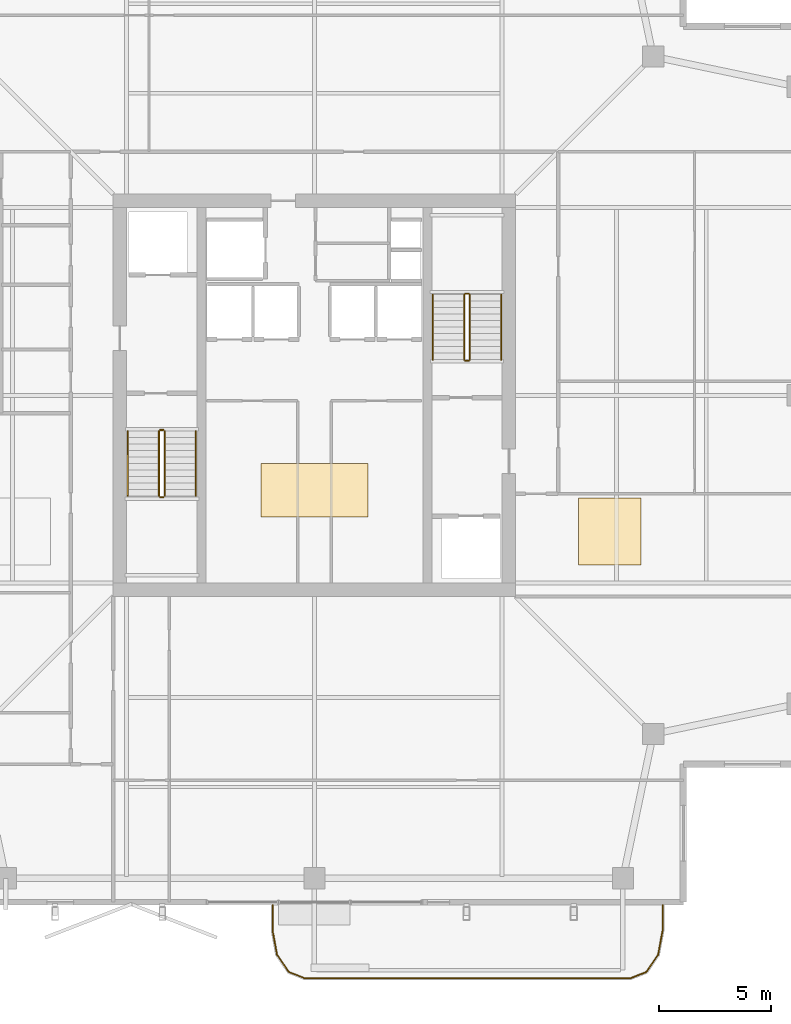
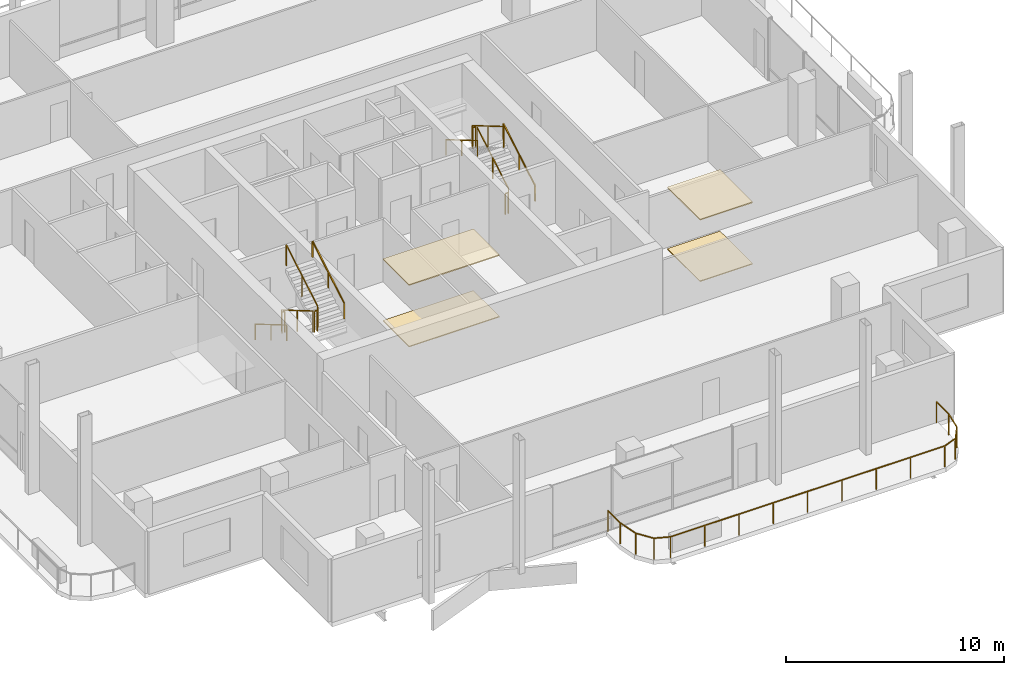
# One storey, part 19 of 20: 13 railings, 4 coverings.
"""IFC4 building model written with IfcOpenShell, lengths in metres."""

from ifc_helpers import new_model, si_unit, direction, frame, origin, origin_2d, place, context, subcontext, project, spatial, polyline, rectangle, outline, extrude, material, layer, layer_set, type_object, element, save


model = new_model("IFC4")

# Units and contexts
model_context = context("Model", 3, precision=1e-05, world=origin(), true_north=direction((0.0, 1.0)))
body_context = subcontext(model_context, "Body", "Model", "MODEL_VIEW")
ifc_project = project(units=[si_unit("LENGTHUNIT", "METRE"), si_unit("AREAUNIT", "SQUARE_METRE"), si_unit("VOLUMEUNIT", "CUBIC_METRE"), si_unit("PLANEANGLEUNIT", "RADIAN"), si_unit("MASSUNIT", "GRAM", prefix="KILO")], contexts=[model_context])

# Site, building, storey
site_placement = place(None, origin())
site = spatial("IfcSite", under=ifc_project, at=site_placement, CompositionType="ELEMENT")
building_placement = place(site_placement, origin())
building = spatial("IfcBuilding", under=site, at=building_placement, Name="Belovzor Exchange Tower", CompositionType="ELEMENT")
storey_placement = place(building_placement, frame((0.0, 0.0, 306.75)))
storey = spatial("IfcBuildingStorey", under=building, at=storey_placement, Name="L76", CompositionType="ELEMENT", Elevation=306.75)

# Railings
ifc_material_1 = material(Name="Stainless Steel Grade 304", Category="steel")
railing_type_1 = type_object("IfcRailingType", Name="Brushed Stainless Steel Stair Handrail 900", PredefinedType="HANDRAIL", material=ifc_material_1)
railing_1_placement = place(storey_placement, frame((20.449951171875, 27.199951171875, 0.17041015625)))
element("IfcRailing", 1, at=railing_1_placement, inside=storey, type_object=railing_type_1, Name="L76 ST-1 stair handrail 1", PredefinedType="HANDRAIL", context=body_context, shape_type="SweptSolid", body=[
    extrude(rectangle(XDim=0.048095703125, YDim=0.048095703125, at=origin_2d()), frame((0.0, 0.0, 0.8759765625), z_axis=(0.0, -0.86209462966, 0.506747323142), x_axis=(1.0, 0.0, 0.0)), (0.0, 0.0, 1.0), 3.36376953125),
    extrude(rectangle(XDim=0.0419921875, YDim=0.0419921875, at=origin_2d()), origin(), (0.0, 0.0, 1.0), 0.851806640625),
    extrude(rectangle(XDim=0.0419921875, YDim=0.0419921875, at=origin_2d()), frame((0.0, -1.449951171875, 0.852294921875)), (0.0, 0.0, 1.0), 0.851806640625),
    extrude(rectangle(XDim=0.0419921875, YDim=0.0419921875, at=origin_2d()), frame((0.0, -2.89990234375, 1.70458984375)), (0.0, 0.0, 1.0), 0.851806640625),
])
railing_2_placement = place(storey_placement, frame((23.5, 24.300048828125, 2.04541015625)))
element("IfcRailing", 2, at=railing_2_placement, inside=storey, type_object=railing_type_1, Name="L76 ST-1 stair handrail 2", PredefinedType="HANDRAIL", context=body_context, shape_type="SweptSolid", body=[
    extrude(rectangle(XDim=0.048095703125, YDim=0.048095703125, at=origin_2d()), frame((0.0, 0.0, 0.8759765625), z_axis=(0.0, 0.86209462966, 0.506747323142), x_axis=(-1.0, 0.0, 0.0)), (0.0, 0.0, 1.0), 3.36376953125),
    extrude(rectangle(XDim=0.0419921875, YDim=0.0419921875, at=origin_2d()), origin(), (0.0, 0.0, 1.0), 0.851806640625),
    extrude(rectangle(XDim=0.0419921875, YDim=0.0419921875, at=origin_2d()), frame((0.0, 1.449951171875, 0.852294921875)), (0.0, 0.0, 1.0), 0.851806640625),
    extrude(rectangle(XDim=0.0419921875, YDim=0.0419921875, at=origin_2d()), frame((0.0, 2.89990234375, 1.70458984375)), (0.0, 0.0, 1.0), 0.851806640625),
])
railing_3_placement = place(storey_placement, frame((37.14990234375, 30.39990234375, 0.17041015625)))
element("IfcRailing", 3, at=railing_3_placement, inside=storey, type_object=railing_type_1, Name="L76 ST-2 stair handrail 1", PredefinedType="HANDRAIL", context=body_context, shape_type="SweptSolid", body=[
    extrude(rectangle(XDim=0.048095703125, YDim=0.048095703125, at=origin_2d()), frame((0.0, 0.0, 0.8759765625), z_axis=(0.0, 0.862113265706, 0.506715617574), x_axis=(-1.0, 0.0, 0.0)), (0.0, 0.0, 1.0), 3.364013671875),
    extrude(rectangle(XDim=0.0419921875, YDim=0.0419921875, at=origin_2d()), origin(), (0.0, 0.0, 1.0), 0.851806640625),
    extrude(rectangle(XDim=0.0419921875, YDim=0.0419921875, at=origin_2d()), frame((0.0, 1.4501953125, 0.852294921875)), (0.0, 0.0, 1.0), 0.851806640625),
    extrude(rectangle(XDim=0.0419921875, YDim=0.0419921875, at=origin_2d()), frame((0.0, 2.900146484375, 1.70458984375)), (0.0, 0.0, 1.0), 0.851806640625),
])
railing_4_placement = place(storey_placement, frame((34.10009765625, 33.300048828125, 2.04541015625)))
element("IfcRailing", 4, at=railing_4_placement, inside=storey, type_object=railing_type_1, Name="L76 ST-2 stair handrail 2", PredefinedType="HANDRAIL", context=body_context, shape_type="SweptSolid", body=[
    extrude(rectangle(XDim=0.048095703125, YDim=0.048095703125, at=origin_2d()), frame((0.0, 0.0, 0.8759765625), z_axis=(0.0, -0.862113265706, 0.506715617574), x_axis=(1.0, 0.0, 0.0)), (0.0, 0.0, 1.0), 3.364013671875),
    extrude(rectangle(XDim=0.0419921875, YDim=0.0419921875, at=origin_2d()), origin(), (0.0, 0.0, 1.0), 0.851806640625),
    extrude(rectangle(XDim=0.0419921875, YDim=0.0419921875, at=origin_2d()), frame((0.0, -1.4501953125, 0.852294921875)), (0.0, 0.0, 1.0), 0.851806640625),
    extrude(rectangle(XDim=0.0419921875, YDim=0.0419921875, at=origin_2d()), frame((0.0, -2.900146484375, 1.70458984375)), (0.0, 0.0, 1.0), 0.851806640625),
])
ifc_material_2 = material(Name="Stainless Steel and Laminated Safety Glass", Category="steel")
railing_type_2 = type_object("IfcRailingType", Name="Laminated Glass & Stainless Steel Balcony Balustrade 1200", PredefinedType="BALUSTRADE", material=ifc_material_2)
railing_5_placement = place(storey_placement, frame((26.929931640625, 5.989990234375, 0.0)))
element("IfcRailing", 5, at=railing_5_placement, inside=storey, type_object=railing_type_2, Name="GR-1 Balcony Balustrade L76 South", PredefinedType="BALUSTRADE", context=body_context, shape_type="SweptSolid", body=[
    extrude(rectangle(XDim=0.048095703125, YDim=0.048095703125, at=origin_2d()), frame((0.0, 0.0, 1.17578125), z_axis=(0.0, -1.0, 0.0), x_axis=(1.0, 0.0, 0.0)), (0.0, 0.0, 1.0), 1.133056640625),
    extrude(rectangle(XDim=0.048095703125, YDim=0.048095703125, at=origin_2d()), frame((0.0, -1.133056640625, 1.17578125), z_axis=(0.180122719713, -0.983644145941, 0.0), x_axis=(0.983644145941, 0.180122719713, 0.0)), (0.0, 0.0, 1.0), 1.09375),
    extrude(rectangle(XDim=0.048095703125, YDim=0.048095703125, at=origin_2d()), frame((0.197021484375, -2.208984375, 1.17578125), z_axis=(0.56294695933, -0.826493025367, 0.0), x_axis=(0.826493025367, 0.56294695933, 0.0)), (0.0, 0.0, 1.0), 0.932861328125),
    extrude(rectangle(XDim=0.048095703125, YDim=0.048095703125, at=origin_2d()), frame((0.72216796875, -2.97998046875, 1.17578125), z_axis=(0.930766990125, -0.365612923861, 0.0), x_axis=(0.365612923861, 0.930766990125, 0.0)), (0.0, 0.0, 1.0), 0.765869140625),
    extrude(rectangle(XDim=0.048095703125, YDim=0.048095703125, at=origin_2d()), frame((1.43505859375, -3.260009765625, 1.17578125), z_axis=(1.0, 0.0, 0.0), x_axis=(0.0, 1.0, 0.0)), (0.0, 0.0, 1.0), 14.570068359375),
    extrude(rectangle(XDim=0.048095703125, YDim=0.048095703125, at=origin_2d()), frame((16.005126953125, -3.260009765625, 1.17578125), z_axis=(0.930766990125, 0.365612923861, 0.0), x_axis=(-0.365612923861, 0.930766990125, 0.0)), (0.0, 0.0, 1.0), 0.765869140625),
    extrude(rectangle(XDim=0.048095703125, YDim=0.048095703125, at=origin_2d()), frame((16.718017578125, -2.97998046875, 1.17578125), z_axis=(0.56294695933, 0.826493025367, 0.0), x_axis=(-0.826493025367, 0.56294695933, 0.0)), (0.0, 0.0, 1.0), 0.932861328125),
    extrude(rectangle(XDim=0.048095703125, YDim=0.048095703125, at=origin_2d()), frame((17.2431640625, -2.208984375, 1.17578125), z_axis=(0.180122719713, 0.983644145941, 0.0), x_axis=(-0.983644145941, 0.180122719713, 0.0)), (0.0, 0.0, 1.0), 1.09375),
    extrude(rectangle(XDim=0.048095703125, YDim=0.048095703125, at=origin_2d()), frame((17.440185546875, -1.133056640625, 1.17578125), z_axis=(0.0, 1.0, 0.0), x_axis=(-1.0, 0.0, 0.0)), (0.0, 0.0, 1.0), 1.133056640625),
    extrude(rectangle(XDim=0.0419921875, YDim=0.0419921875, at=origin_2d()), origin(), (0.0, 0.0, 1.0), 1.15185546875),
    extrude(rectangle(XDim=0.0419921875, YDim=0.0419921875, at=origin_2d()), frame((0.0, -1.133056640625, 0.0)), (0.0, 0.0, 1.0), 1.15185546875),
    extrude(rectangle(XDim=0.0419921875, YDim=0.0419921875, at=origin_2d()), frame((0.197021484375, -2.208984375, 0.0)), (0.0, 0.0, 1.0), 1.15185546875),
    extrude(rectangle(XDim=0.0419921875, YDim=0.0419921875, at=origin_2d()), frame((0.72216796875, -2.97998046875, 0.0)), (0.0, 0.0, 1.0), 1.15185546875),
    extrude(rectangle(XDim=0.0419921875, YDim=0.0419921875, at=origin_2d()), frame((1.43505859375, -3.260009765625, 0.0)), (0.0, 0.0, 1.0), 1.15185546875),
    extrude(rectangle(XDim=0.0419921875, YDim=0.0419921875, at=origin_2d()), frame((3.25634765625, -3.260009765625, 0.0)), (0.0, 0.0, 1.0), 1.15185546875),
    extrude(rectangle(XDim=0.0419921875, YDim=0.0419921875, at=origin_2d()), frame((5.07763671875, -3.260009765625, 0.0)), (0.0, 0.0, 1.0), 1.15185546875),
    extrude(rectangle(XDim=0.0419921875, YDim=0.0419921875, at=origin_2d()), frame((6.89892578125, -3.260009765625, 0.0)), (0.0, 0.0, 1.0), 1.15185546875),
    extrude(rectangle(XDim=0.0419921875, YDim=0.0419921875, at=origin_2d()), frame((8.72021484375, -3.260009765625, 0.0)), (0.0, 0.0, 1.0), 1.15185546875),
    extrude(rectangle(XDim=0.0419921875, YDim=0.0419921875, at=origin_2d()), frame((10.541259765625, -3.260009765625, 0.0)), (0.0, 0.0, 1.0), 1.15185546875),
    extrude(rectangle(XDim=0.0419921875, YDim=0.0419921875, at=origin_2d()), frame((12.362548828125, -3.260009765625, 0.0)), (0.0, 0.0, 1.0), 1.15185546875),
    extrude(rectangle(XDim=0.0419921875, YDim=0.0419921875, at=origin_2d()), frame((14.183837890625, -3.260009765625, 0.0)), (0.0, 0.0, 1.0), 1.15185546875),
    extrude(rectangle(XDim=0.0419921875, YDim=0.0419921875, at=origin_2d()), frame((16.005126953125, -3.260009765625, 0.0)), (0.0, 0.0, 1.0), 1.15185546875),
    extrude(rectangle(XDim=0.0419921875, YDim=0.0419921875, at=origin_2d()), frame((16.718017578125, -2.97998046875, 0.0)), (0.0, 0.0, 1.0), 1.15185546875),
    extrude(rectangle(XDim=0.0419921875, YDim=0.0419921875, at=origin_2d()), frame((17.2431640625, -2.208984375, 0.0)), (0.0, 0.0, 1.0), 1.15185546875),
    extrude(rectangle(XDim=0.0419921875, YDim=0.0419921875, at=origin_2d()), frame((17.440185546875, -1.133056640625, 0.0)), (0.0, 0.0, 1.0), 1.15185546875),
    extrude(rectangle(XDim=0.0419921875, YDim=0.0419921875, at=origin_2d()), frame((17.440185546875, 0.0, 0.0)), (0.0, 0.0, 1.0), 1.15185546875),
])
ifc_material_3 = material(Name="Steel S355", Category="steel")
railing_type_3 = type_object("IfcRailingType", Name="Painted Steel Stairwell Guardrail 1200", PredefinedType="GUARDRAIL", material=ifc_material_3)
railing_6_placement = place(storey_placement, frame((21.85009765625, 27.199951171875, 0.17041015625)))
element("IfcRailing", 6, at=railing_6_placement, inside=storey, type_object=railing_type_3, Name="L76 ST-1 stair guard 1", PredefinedType="GUARDRAIL", context=body_context, shape_type="SweptSolid", body=[
    extrude(rectangle(XDim=0.048095703125, YDim=0.048095703125, at=origin_2d()), frame((0.0, 0.0, 1.17578125), z_axis=(0.0, -0.86209462966, 0.506747323142), x_axis=(1.0, 0.0, 0.0)), (0.0, 0.0, 1.0), 3.36376953125),
    extrude(rectangle(XDim=0.0419921875, YDim=0.0419921875, at=origin_2d()), origin(), (0.0, 0.0, 1.0), 1.15185546875),
    extrude(rectangle(XDim=0.0419921875, YDim=0.0419921875, at=origin_2d()), frame((0.0, -1.449951171875, 0.852294921875)), (0.0, 0.0, 1.0), 1.15185546875),
    extrude(rectangle(XDim=0.0419921875, YDim=0.0419921875, at=origin_2d()), frame((0.0, -2.89990234375, 1.70458984375)), (0.0, 0.0, 1.0), 1.15185546875),
])
railing_7_placement = place(storey_placement, frame((21.89990234375, 24.25, 1.875)))
element("IfcRailing", 7, at=railing_7_placement, inside=storey, type_object=railing_type_3, Name="L76 ST-1 stair guard 2", PredefinedType="GUARDRAIL", context=body_context, shape_type="SweptSolid", body=[
    extrude(rectangle(XDim=0.048095703125, YDim=0.048095703125, at=origin_2d()), frame((0.0, 0.0, 1.17578125), z_axis=(1.0, 0.0, 0.0), x_axis=(0.0, 1.0, 0.0)), (0.0, 0.0, 1.0), 0.150146484375),
    extrude(rectangle(XDim=0.0419921875, YDim=0.0419921875, at=origin_2d()), origin(), (0.0, 0.0, 1.0), 1.15185546875),
    extrude(rectangle(XDim=0.0419921875, YDim=0.0419921875, at=origin_2d()), frame((0.150146484375, 0.0, 0.0)), (0.0, 0.0, 1.0), 1.15185546875),
])
railing_8_placement = place(storey_placement, frame((22.10009765625, 24.300048828125, 2.04541015625)))
element("IfcRailing", 8, at=railing_8_placement, inside=storey, type_object=railing_type_3, Name="L76 ST-1 stair guard 3", PredefinedType="GUARDRAIL", context=body_context, shape_type="SweptSolid", body=[
    extrude(rectangle(XDim=0.048095703125, YDim=0.048095703125, at=origin_2d()), frame((0.0, 0.0, 1.17578125), z_axis=(0.0, 0.86209462966, 0.506747323142), x_axis=(-1.0, 0.0, 0.0)), (0.0, 0.0, 1.0), 3.36376953125),
    extrude(rectangle(XDim=0.0419921875, YDim=0.0419921875, at=origin_2d()), origin(), (0.0, 0.0, 1.0), 1.15185546875),
    extrude(rectangle(XDim=0.0419921875, YDim=0.0419921875, at=origin_2d()), frame((0.0, 1.449951171875, 0.852294921875)), (0.0, 0.0, 1.0), 1.15185546875),
    extrude(rectangle(XDim=0.0419921875, YDim=0.0419921875, at=origin_2d()), frame((0.0, 2.89990234375, 1.70458984375)), (0.0, 0.0, 1.0), 1.15185546875),
])
railing_9_placement = place(storey_placement, frame((21.89990234375, 27.25, 0.0)))
element("IfcRailing", 9, at=railing_9_placement, inside=storey, type_object=railing_type_3, Name="L76 ST-1 stair guard 4", PredefinedType="GUARDRAIL", context=body_context, shape_type="SweptSolid", body=[
    extrude(rectangle(XDim=0.048095703125, YDim=0.048095703125, at=origin_2d()), frame((0.0, 0.0, 1.17578125), z_axis=(1.0, 0.0, 0.0), x_axis=(0.0, 1.0, 0.0)), (0.0, 0.0, 1.0), 0.150146484375),
    extrude(rectangle(XDim=0.0419921875, YDim=0.0419921875, at=origin_2d()), origin(), (0.0, 0.0, 1.0), 1.15185546875),
    extrude(rectangle(XDim=0.0419921875, YDim=0.0419921875, at=origin_2d()), frame((0.150146484375, 0.0, 0.0)), (0.0, 0.0, 1.0), 1.15185546875),
])
railing_10_placement = place(storey_placement, frame((35.75, 30.39990234375, 0.17041015625)))
element("IfcRailing", 10, at=railing_10_placement, inside=storey, type_object=railing_type_3, Name="L76 ST-2 stair guard 1", PredefinedType="GUARDRAIL", context=body_context, shape_type="SweptSolid", body=[
    extrude(rectangle(XDim=0.048095703125, YDim=0.048095703125, at=origin_2d()), frame((0.0, 0.0, 1.17578125), z_axis=(0.0, 0.862113265706, 0.506715617574), x_axis=(-1.0, 0.0, 0.0)), (0.0, 0.0, 1.0), 3.364013671875),
    extrude(rectangle(XDim=0.0419921875, YDim=0.0419921875, at=origin_2d()), origin(), (0.0, 0.0, 1.0), 1.15185546875),
    extrude(rectangle(XDim=0.0419921875, YDim=0.0419921875, at=origin_2d()), frame((0.0, 1.4501953125, 0.852294921875)), (0.0, 0.0, 1.0), 1.15185546875),
    extrude(rectangle(XDim=0.0419921875, YDim=0.0419921875, at=origin_2d()), frame((0.0, 2.900146484375, 1.70458984375)), (0.0, 0.0, 1.0), 1.15185546875),
])
railing_11_placement = place(storey_placement, frame((35.699951171875, 33.35009765625, 1.875)))
element("IfcRailing", 11, at=railing_11_placement, inside=storey, type_object=railing_type_3, Name="L76 ST-2 stair guard 2", PredefinedType="GUARDRAIL", context=body_context, shape_type="SweptSolid", body=[
    extrude(rectangle(XDim=0.048095703125, YDim=0.048095703125, at=origin_2d()), frame((0.0, 0.0, 1.17578125), z_axis=(-1.0, 0.0, 0.0), x_axis=(0.0, -1.0, 0.0)), (0.0, 0.0, 1.0), 0.14990234375),
    extrude(rectangle(XDim=0.0419921875, YDim=0.0419921875, at=origin_2d()), origin(), (0.0, 0.0, 1.0), 1.15185546875),
    extrude(rectangle(XDim=0.0419921875, YDim=0.0419921875, at=origin_2d()), frame((-0.14990234375, 0.0, 0.0)), (0.0, 0.0, 1.0), 1.15185546875),
])
railing_12_placement = place(storey_placement, frame((35.5, 33.300048828125, 2.04541015625)))
element("IfcRailing", 12, at=railing_12_placement, inside=storey, type_object=railing_type_3, Name="L76 ST-2 stair guard 3", PredefinedType="GUARDRAIL", context=body_context, shape_type="SweptSolid", body=[
    extrude(rectangle(XDim=0.048095703125, YDim=0.048095703125, at=origin_2d()), frame((0.0, 0.0, 1.17578125), z_axis=(0.0, -0.862113265706, 0.506715617574), x_axis=(1.0, 0.0, 0.0)), (0.0, 0.0, 1.0), 3.364013671875),
    extrude(rectangle(XDim=0.0419921875, YDim=0.0419921875, at=origin_2d()), origin(), (0.0, 0.0, 1.0), 1.15185546875),
    extrude(rectangle(XDim=0.0419921875, YDim=0.0419921875, at=origin_2d()), frame((0.0, -1.4501953125, 0.852294921875)), (0.0, 0.0, 1.0), 1.15185546875),
    extrude(rectangle(XDim=0.0419921875, YDim=0.0419921875, at=origin_2d()), frame((0.0, -2.900146484375, 1.70458984375)), (0.0, 0.0, 1.0), 1.15185546875),
])
railing_13_placement = place(storey_placement, frame((35.699951171875, 30.35009765625, 0.0)))
element("IfcRailing", 13, at=railing_13_placement, inside=storey, type_object=railing_type_3, Name="L76 ST-2 stair guard 4", PredefinedType="GUARDRAIL", context=body_context, shape_type="SweptSolid", body=[
    extrude(rectangle(XDim=0.048095703125, YDim=0.048095703125, at=origin_2d()), frame((0.0, 0.0, 1.17578125), z_axis=(-1.0, 0.0, 0.0), x_axis=(0.0, -1.0, 0.0)), (0.0, 0.0, 1.0), 0.14990234375),
    extrude(rectangle(XDim=0.0419921875, YDim=0.0419921875, at=origin_2d()), origin(), (0.0, 0.0, 1.0), 1.15185546875),
    extrude(rectangle(XDim=0.0419921875, YDim=0.0419921875, at=origin_2d()), frame((-0.14990234375, 0.0, 0.0)), (0.0, 0.0, 1.0), 1.15185546875),
])

# Coverings
ifc_material_4 = material(Name="Perforated Powder-Coated Aluminium", Category="aluminium")
ifc_layer_1 = layer(ifc_material_4, 0.06005859375)
ifc_layer_set_1 = layer_set([ifc_layer_1], Name="Perforated Powder-Coated Aluminium")
covering_type_1 = type_object("IfcCoveringType", Name="Perforated Acoustic Metal Tile Suspended Ceiling 60", PredefinedType="CEILING", material=ifc_layer_set_1)
covering_1_placement = place(storey_placement, frame((0.0, 0.0, 3.449951171875)))
element("IfcCovering", 14, at=covering_1_placement, inside=storey, type_object=covering_type_1, Name="CLG-AC60 Suspended Ceiling CLG-L76-LOB", PredefinedType="CEILING", context=body_context, shape_type="SweptSolid", body=[
    extrude(outline(polyline([(26.39990234375, 23.35009765625), (31.199951171875, 23.35009765625), (31.199951171875, 25.75), (26.39990234375, 25.75), (26.39990234375, 23.35009765625)])), origin(), (0.0, 0.0, 1.0), 0.06005859375),
])
covering_2_placement = place(storey_placement, frame((0.0, 0.0, 3.449951171875)))
element("IfcCovering", 15, at=covering_2_placement, inside=storey, type_object=covering_type_1, Name="CLG-AC60 Suspended Ceiling CLG-L76-Z0", PredefinedType="CEILING", context=body_context, shape_type="SweptSolid", body=[
    extrude(outline(polyline([(40.60009765625, 21.199951171875), (43.39990234375, 21.199951171875), (43.39990234375, 24.199951171875), (40.60009765625, 24.199951171875), (40.60009765625, 21.199951171875)])), origin(), (0.0, 0.0, 1.0), 0.06005859375),
])
ifc_material_5 = material(Name="Polished Natural Granite Tile", Category="masonry")
ifc_layer_2 = layer(ifc_material_5, 0.050048828125)
ifc_layer_set_2 = layer_set([ifc_layer_2], Name="Polished Natural Granite Tile")
covering_type_2 = type_object("IfcCoveringType", Name="Polished Karelian Granite & Raised Access Floor Finish 50", PredefinedType="FLOORING", material=ifc_layer_set_2)
covering_3_placement = place(storey_placement, origin())
element("IfcCovering", 16, at=covering_3_placement, inside=storey, type_object=covering_type_2, Name="FLR-GR50 Floor Finish FLR-L76-LOB", PredefinedType="FLOORING", context=body_context, shape_type="SweptSolid", body=[
    extrude(outline(polyline([(26.39990234375, 23.35009765625), (31.199951171875, 23.35009765625), (31.199951171875, 25.75), (26.39990234375, 25.75), (26.39990234375, 23.35009765625)])), origin(), (0.0, 0.0, 1.0), 0.050048828125),
])
covering_4_placement = place(storey_placement, origin())
element("IfcCovering", 17, at=covering_4_placement, inside=storey, type_object=covering_type_2, Name="FLR-GR50 Floor Finish FLR-L76-Z0", PredefinedType="FLOORING", context=body_context, shape_type="SweptSolid", body=[
    extrude(outline(polyline([(40.60009765625, 21.199951171875), (43.39990234375, 21.199951171875), (43.39990234375, 24.199951171875), (40.60009765625, 24.199951171875), (40.60009765625, 21.199951171875)])), origin(), (0.0, 0.0, 1.0), 0.050048828125),
])

save(model, "model.ifc")
